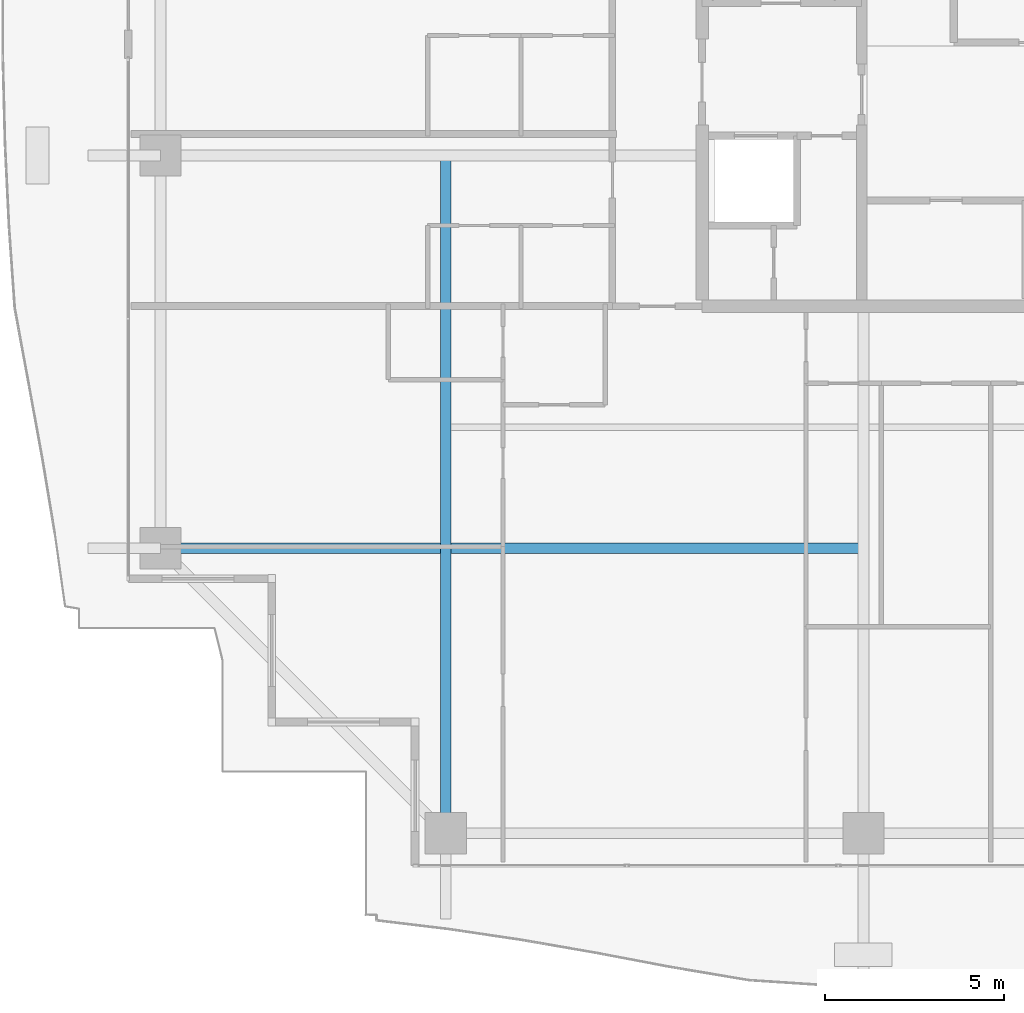
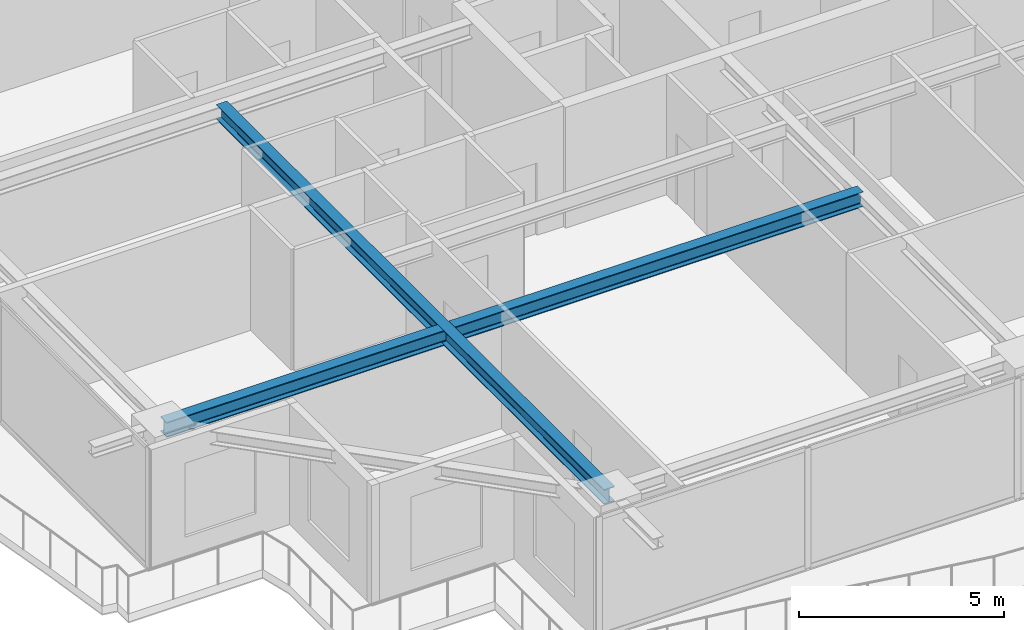
# One storey, part 4 of 36: 2 beams.
"""IFC4 building model written with IfcOpenShell, lengths in metres."""

from ifc_helpers import new_model, si_unit, direction, frame, origin, origin_2d, place, context, subcontext, project, spatial, i_section, extrude, source, transform, mapped, material, material_profile, profile_set, type_object, element, save


model = new_model("IFC4")

# Units and contexts
model_context = context("Model", 3, precision=1e-05, world=origin(), true_north=direction((0.0, 1.0)))
body_context = subcontext(model_context, "Body", "Model", "MODEL_VIEW")
ifc_project = project(units=[si_unit("LENGTHUNIT", "METRE"), si_unit("AREAUNIT", "SQUARE_METRE"), si_unit("VOLUMEUNIT", "CUBIC_METRE"), si_unit("PLANEANGLEUNIT", "RADIAN"), si_unit("MASSUNIT", "GRAM", prefix="KILO")], contexts=[model_context])

# Site, building, storey
site_placement = place(None, origin())
site = spatial("IfcSite", under=ifc_project, at=site_placement, CompositionType="ELEMENT")
building_placement = place(site_placement, origin())
building = spatial("IfcBuilding", under=site, at=building_placement, Name="Serunith Strait Residences", CompositionType="ELEMENT")
storey_placement = place(building_placement, frame((0.0, 0.0, 256.64990234375)))
storey = spatial("IfcBuildingStorey", under=building, at=storey_placement, Name="L64", CompositionType="ELEMENT", Elevation=256.64990234375)

# Beams
ifc_material = material(Name="Steel S355J2", Category="steel")
ifc_material_profile = material_profile(ifc_material, i_section(OverallWidth=0.300048828125, OverallDepth=0.449951171875, WebThickness=0.013916015625, FlangeThickness=0.02587890625, FilletRadius=0.027099609375, at=origin_2d()), Name="HEB 450")
ifc_profile_set = profile_set([ifc_material_profile], Name="Steel S355J2")
beam_type = type_object("IfcBeamType", Name="BM-HEB450", PredefinedType="BEAM", material=ifc_profile_set)
shared_shape_1 = source(origin(), body_context, "Body", "SweptSolid", [
    extrude(i_section(OverallWidth=0.300048828125, OverallDepth=0.449951171875, WebThickness=0.013916015625, FlangeThickness=0.02587890625, FilletRadius=0.027099609375, at=origin_2d()), origin(), (0.0, 0.0, 1.0), 18.89990234375),
])
beam_1_placement = place(storey_placement, frame((16.25, 21.0, 3.362060546875), z_axis=(0.0, -1.0, 0.0), x_axis=(1.0, 0.0, 0.0)))
element("IfcBeam", 1, at=beam_1_placement, inside=storey, type_object=beam_type, Name="L64 Orthogonal Corner Girder TC-S1", PredefinedType="BEAM", context=body_context, shape_type="MappedRepresentation", body=[
    mapped(shared_shape_1, transform((0.0, 0.0, 0.0), scale=1.0)),
])
shared_shape_2 = source(origin(), body_context, "Body", "SweptSolid", [
    extrude(i_section(OverallWidth=0.300048828125, OverallDepth=0.449951171875, WebThickness=0.013916015625, FlangeThickness=0.02587890625, FilletRadius=0.027099609375, at=origin_2d()), origin(), (0.0, 0.0, 1.0), 19.599853515625),
])
beam_2_placement = place(storey_placement, frame((27.89990234375, 10.050048828125, 3.362060546875), z_axis=(-1.0, 0.0, 0.0), x_axis=(0.0, -1.0, 0.0)))
element("IfcBeam", 2, at=beam_2_placement, inside=storey, type_object=beam_type, Name="L64 Orthogonal Corner Girder TC-W1", PredefinedType="BEAM", context=body_context, shape_type="MappedRepresentation", body=[
    mapped(shared_shape_2, transform((0.0, 0.0, 0.0), scale=1.0)),
])

save(model, "model.ifc")
